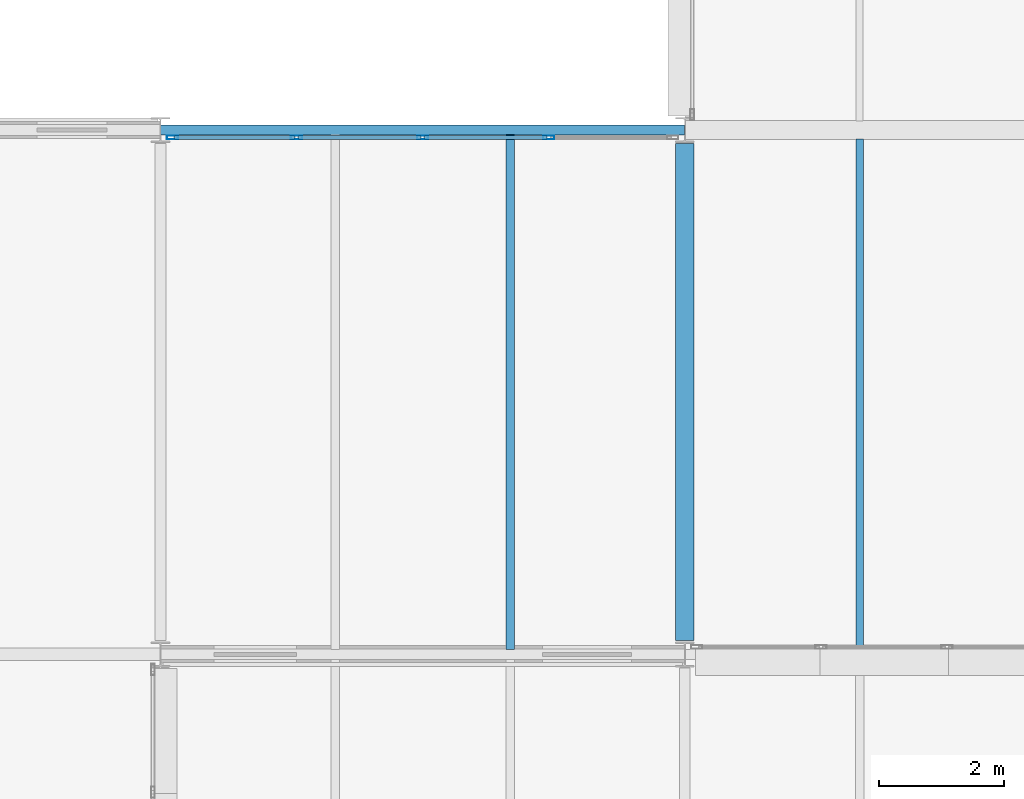
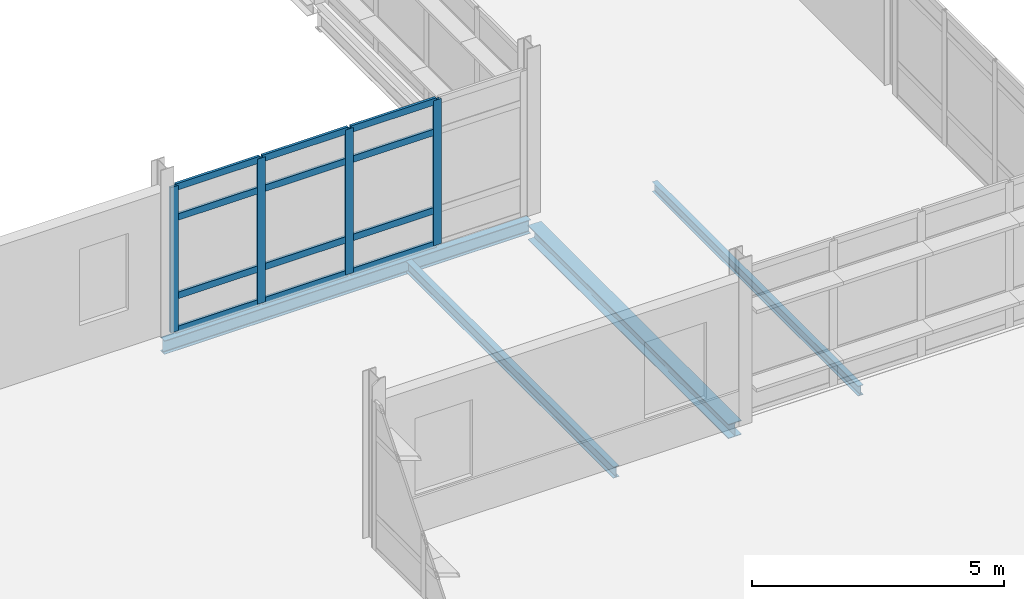
# One storey, part 46 of 151: 16 members, 4 beams, 1 element without a shape of its own.
"""IFC4 building model written with IfcOpenShell, lengths in metres."""

from ifc_helpers import new_model, si_unit, direction, frame, origin, origin_2d, place, context, subcontext, project, spatial, hollow_rectangle, i_section, extrude, material, material_profile, profile_set, type_object, element, aggregate, save


model = new_model("IFC4")

# Units and contexts
model_context = context("Model", 3, precision=1e-05, world=origin(), true_north=direction((0.0, 1.0)))
body_context = subcontext(model_context, "Body", "Model", "MODEL_VIEW")
ifc_project = project(units=[si_unit("LENGTHUNIT", "METRE"), si_unit("AREAUNIT", "SQUARE_METRE"), si_unit("VOLUMEUNIT", "CUBIC_METRE"), si_unit("PLANEANGLEUNIT", "RADIAN"), si_unit("MASSUNIT", "GRAM", prefix="KILO")], contexts=[model_context])

# Site, building, storey
site_placement = place(None, origin())
site = spatial("IfcSite", under=ifc_project, at=site_placement, CompositionType="ELEMENT")
building_placement = place(site_placement, origin())
building = spatial("IfcBuilding", under=site, at=building_placement, Name="Mersafa Astral City Hall", CompositionType="ELEMENT")
storey_placement = place(building_placement, frame((0.0, 0.0, 9.89990234375)))
storey = spatial("IfcBuildingStorey", under=building, at=storey_placement, Name="L02", CompositionType="ELEMENT", Elevation=9.89990234375)

# Curtain wall, members
ifc_material_1 = material(Name="Anodised bronze aluminium framing", Category="aluminium")
curtain_wall_type = type_object("IfcCurtainWallType", Name="ENV-CW-1", PredefinedType="USERDEFINED", material=ifc_material_1)
curtain_wall_placement = place(storey_placement, origin())
curtain_wall = element("IfcCurtainWall", 1, at=curtain_wall_placement, inside=storey, type_object=curtain_wall_type, Name="L02 Unitised solar curtain wall 132", ObjectType="UNITISED CURTAIN WALL", PredefinedType="USERDEFINED")
ifc_material_profile_1 = material_profile(ifc_material_1, hollow_rectangle(XDim=0.06005859375, YDim=0.179931640625, WallThickness=0.00390625, at=origin_2d()), Name="RHS 60x180x4")
ifc_profile_set_1 = profile_set([ifc_material_profile_1], Name="Anodised bronze aluminium framing")
member_type_1 = type_object("IfcMemberType", Name="ENV-CW-MUL-1", PredefinedType="MULLION", material=ifc_profile_set_1)
member_1_placement = place(storey_placement, frame((31.4189453125, 100.679931640625, -0.001953125), z_axis=(0.0, 0.0, 1.0), x_axis=(0.0, -1.0, 0.0)))
member_1 = element("IfcMember", 2, at=member_1_placement, type_object=member_type_1, Name="CW-1 mullion 2", PredefinedType="MULLION", context=body_context, shape_type="SweptSolid", body=[
    extrude(hollow_rectangle(XDim=0.06005859375, YDim=0.179931640625, WallThickness=0.00390625, at=origin_2d()), origin(), (0.0, 0.0, 1.0), 3.51904296875),
])
member_2_placement = place(storey_placement, frame((29.39990234375, 100.679931640625, -0.001953125), z_axis=(0.0, 0.0, 1.0), x_axis=(0.0, -1.0, 0.0)))
member_2 = element("IfcMember", 3, at=member_2_placement, type_object=member_type_1, Name="CW-1 mullion 3", PredefinedType="MULLION", context=body_context, shape_type="SweptSolid", body=[
    extrude(hollow_rectangle(XDim=0.06005859375, YDim=0.179931640625, WallThickness=0.00390625, at=origin_2d()), origin(), (0.0, 0.0, 1.0), 3.51904296875),
])
member_3_placement = place(storey_placement, frame((27.381103515625, 100.679931640625, -0.001953125), z_axis=(0.0, 0.0, 1.0), x_axis=(0.0, -1.0, 0.0)))
member_3 = element("IfcMember", 4, at=member_3_placement, type_object=member_type_1, Name="CW-1 mullion 4", PredefinedType="MULLION", context=body_context, shape_type="SweptSolid", body=[
    extrude(hollow_rectangle(XDim=0.06005859375, YDim=0.179931640625, WallThickness=0.00390625, at=origin_2d()), origin(), (0.0, 0.0, 1.0), 3.51904296875),
])
member_4_placement = place(storey_placement, frame((25.39208984375, 100.679931640625, -0.001953125), z_axis=(0.0, 0.0, 1.0), x_axis=(0.0, -1.0, 0.0)))
member_4 = element("IfcMember", 5, at=member_4_placement, type_object=member_type_1, Name="CW-1 mullion 5", PredefinedType="MULLION", context=body_context, shape_type="SweptSolid", body=[
    extrude(hollow_rectangle(XDim=0.06005859375, YDim=0.179931640625, WallThickness=0.00390625, at=origin_2d()), origin(), (0.0, 0.0, 1.0), 3.51904296875),
])
ifc_material_profile_2 = material_profile(ifc_material_1, hollow_rectangle(XDim=0.06005859375, YDim=0.159912109375, WallThickness=0.00390625, at=origin_2d()), Name="RHS 60x160x4")
ifc_profile_set_2 = profile_set([ifc_material_profile_2], Name="Anodised bronze aluminium framing")
member_type_2 = type_object("IfcMemberType", Name="ENV-CW-TRN-2", PredefinedType="USERDEFINED", material=ifc_profile_set_2)
member_5_placement = place(storey_placement, frame((31.388916015625, 100.679931640625, 0.028076171875), z_axis=(-1.0, 0.0, 0.0), x_axis=(0.0, -1.0, 0.0)))
member_5 = element("IfcMember", 6, at=member_5_placement, type_object=member_type_2, Name="CW-1 transom 2.1", ObjectType="TRANSOM", PredefinedType="USERDEFINED", context=body_context, shape_type="SweptSolid", body=[
    extrude(hollow_rectangle(XDim=0.06005859375, YDim=0.159912109375, WallThickness=0.00390625, at=origin_2d()), origin(), (0.0, 0.0, 1.0), 1.958984375),
])
member_6_placement = place(storey_placement, frame((31.388916015625, 100.679931640625, 0.85009765625), z_axis=(-1.0, 0.0, 0.0), x_axis=(0.0, -1.0, 0.0)))
member_6 = element("IfcMember", 7, at=member_6_placement, type_object=member_type_2, Name="CW-1 transom 2.2", ObjectType="TRANSOM", PredefinedType="USERDEFINED", context=body_context, shape_type="SweptSolid", body=[
    extrude(hollow_rectangle(XDim=0.06005859375, YDim=0.159912109375, WallThickness=0.00390625, at=origin_2d()), origin(), (0.0, 0.0, 1.0), 1.958984375),
])
member_7_placement = place(storey_placement, frame((31.388916015625, 100.679931640625, 2.75), z_axis=(-1.0, 0.0, 0.0), x_axis=(0.0, -1.0, 0.0)))
member_7 = element("IfcMember", 8, at=member_7_placement, type_object=member_type_2, Name="CW-1 transom 2.3", ObjectType="TRANSOM", PredefinedType="USERDEFINED", context=body_context, shape_type="SweptSolid", body=[
    extrude(hollow_rectangle(XDim=0.06005859375, YDim=0.159912109375, WallThickness=0.00390625, at=origin_2d()), origin(), (0.0, 0.0, 1.0), 1.958984375),
])
member_8_placement = place(storey_placement, frame((31.388916015625, 100.679931640625, 3.487060546875), z_axis=(-1.0, 0.0, 0.0), x_axis=(0.0, -1.0, 0.0)))
member_8 = element("IfcMember", 9, at=member_8_placement, type_object=member_type_2, Name="CW-1 transom 2.4", ObjectType="TRANSOM", PredefinedType="USERDEFINED", context=body_context, shape_type="SweptSolid", body=[
    extrude(hollow_rectangle(XDim=0.06005859375, YDim=0.159912109375, WallThickness=0.00390625, at=origin_2d()), origin(), (0.0, 0.0, 1.0), 1.958984375),
])
member_9_placement = place(storey_placement, frame((29.3701171875, 100.679931640625, 0.028076171875), z_axis=(-1.0, 0.0, 0.0), x_axis=(0.0, -1.0, 0.0)))
member_9 = element("IfcMember", 10, at=member_9_placement, type_object=member_type_2, Name="CW-1 transom 3.1", ObjectType="TRANSOM", PredefinedType="USERDEFINED", context=body_context, shape_type="SweptSolid", body=[
    extrude(hollow_rectangle(XDim=0.06005859375, YDim=0.159912109375, WallThickness=0.00390625, at=origin_2d()), origin(), (0.0, 0.0, 1.0), 1.959228515625),
])
member_10_placement = place(storey_placement, frame((29.3701171875, 100.679931640625, 0.85009765625), z_axis=(-1.0, 0.0, 0.0), x_axis=(0.0, -1.0, 0.0)))
member_10 = element("IfcMember", 11, at=member_10_placement, type_object=member_type_2, Name="CW-1 transom 3.2", ObjectType="TRANSOM", PredefinedType="USERDEFINED", context=body_context, shape_type="SweptSolid", body=[
    extrude(hollow_rectangle(XDim=0.06005859375, YDim=0.159912109375, WallThickness=0.00390625, at=origin_2d()), origin(), (0.0, 0.0, 1.0), 1.959228515625),
])
member_11_placement = place(storey_placement, frame((29.3701171875, 100.679931640625, 2.75), z_axis=(-1.0, 0.0, 0.0), x_axis=(0.0, -1.0, 0.0)))
member_11 = element("IfcMember", 12, at=member_11_placement, type_object=member_type_2, Name="CW-1 transom 3.3", ObjectType="TRANSOM", PredefinedType="USERDEFINED", context=body_context, shape_type="SweptSolid", body=[
    extrude(hollow_rectangle(XDim=0.06005859375, YDim=0.159912109375, WallThickness=0.00390625, at=origin_2d()), origin(), (0.0, 0.0, 1.0), 1.959228515625),
])
member_12_placement = place(storey_placement, frame((29.3701171875, 100.679931640625, 3.487060546875), z_axis=(-1.0, 0.0, 0.0), x_axis=(0.0, -1.0, 0.0)))
member_12 = element("IfcMember", 13, at=member_12_placement, type_object=member_type_2, Name="CW-1 transom 3.4", ObjectType="TRANSOM", PredefinedType="USERDEFINED", context=body_context, shape_type="SweptSolid", body=[
    extrude(hollow_rectangle(XDim=0.06005859375, YDim=0.159912109375, WallThickness=0.00390625, at=origin_2d()), origin(), (0.0, 0.0, 1.0), 1.959228515625),
])
member_13_placement = place(storey_placement, frame((27.35107421875, 100.679931640625, 0.028076171875), z_axis=(-1.0, 0.0, 0.0), x_axis=(0.0, -1.0, 0.0)))
member_13 = element("IfcMember", 14, at=member_13_placement, type_object=member_type_2, Name="CW-1 transom 4.1", ObjectType="TRANSOM", PredefinedType="USERDEFINED", context=body_context, shape_type="SweptSolid", body=[
    extrude(hollow_rectangle(XDim=0.06005859375, YDim=0.159912109375, WallThickness=0.00390625, at=origin_2d()), origin(), (0.0, 0.0, 1.0), 1.928955078125),
])
member_14_placement = place(storey_placement, frame((27.35107421875, 100.679931640625, 0.85009765625), z_axis=(-1.0, 0.0, 0.0), x_axis=(0.0, -1.0, 0.0)))
member_14 = element("IfcMember", 15, at=member_14_placement, type_object=member_type_2, Name="CW-1 transom 4.2", ObjectType="TRANSOM", PredefinedType="USERDEFINED", context=body_context, shape_type="SweptSolid", body=[
    extrude(hollow_rectangle(XDim=0.06005859375, YDim=0.159912109375, WallThickness=0.00390625, at=origin_2d()), origin(), (0.0, 0.0, 1.0), 1.928955078125),
])
member_15_placement = place(storey_placement, frame((27.35107421875, 100.679931640625, 2.75), z_axis=(-1.0, 0.0, 0.0), x_axis=(0.0, -1.0, 0.0)))
member_15 = element("IfcMember", 16, at=member_15_placement, type_object=member_type_2, Name="CW-1 transom 4.3", ObjectType="TRANSOM", PredefinedType="USERDEFINED", context=body_context, shape_type="SweptSolid", body=[
    extrude(hollow_rectangle(XDim=0.06005859375, YDim=0.159912109375, WallThickness=0.00390625, at=origin_2d()), origin(), (0.0, 0.0, 1.0), 1.928955078125),
])
member_16_placement = place(storey_placement, frame((27.35107421875, 100.679931640625, 3.487060546875), z_axis=(-1.0, 0.0, 0.0), x_axis=(0.0, -1.0, 0.0)))
member_16 = element("IfcMember", 17, at=member_16_placement, type_object=member_type_2, Name="CW-1 transom 4.4", ObjectType="TRANSOM", PredefinedType="USERDEFINED", context=body_context, shape_type="SweptSolid", body=[
    extrude(hollow_rectangle(XDim=0.06005859375, YDim=0.159912109375, WallThickness=0.00390625, at=origin_2d()), origin(), (0.0, 0.0, 1.0), 1.928955078125),
])
aggregate(curtain_wall, [member_1, member_2, member_3, member_4, member_5, member_6, member_7, member_8, member_9, member_10, member_11, member_12, member_13, member_14, member_15, member_16])

# Beams
ifc_material_2 = material(Name="Steel S355", Category="steel")
ifc_material_profile_3 = material_profile(ifc_material_2, i_section(OverallWidth=0.300048828125, OverallDepth=0.35009765625, WebThickness=0.010009765625, FlangeThickness=0.017578125, FilletRadius=0.027099609375, at=origin_2d()), Name="HEA 360")
ifc_profile_set_3 = profile_set([ifc_material_profile_3], Name="Steel S355")
beam_type_1 = type_object("IfcBeamType", Name="STR-BM-HEA360", PredefinedType="BEAM", material=ifc_profile_set_3)
beam_1_placement = place(storey_placement, frame((33.60009765625, 92.6201171875, -0.375), z_axis=(0.0, 1.0, 0.0), x_axis=(-1.0, 0.0, 0.0)))
element("IfcBeam", 18, at=beam_1_placement, inside=storey, type_object=beam_type_1, Name="L02 Primary girder Y 4-11", PredefinedType="BEAM", context=body_context, shape_type="SweptSolid", body=[
    extrude(i_section(OverallWidth=0.300048828125, OverallDepth=0.35009765625, WebThickness=0.010009765625, FlangeThickness=0.017578125, FilletRadius=0.027099609375, at=origin_2d()), origin(), (0.0, 0.0, 1.0), 7.9599609375),
])
ifc_material_profile_4 = material_profile(ifc_material_2, i_section(OverallWidth=0.1201171875, OverallDepth=0.239990234375, WebThickness=0.006103515625, FlangeThickness=0.009765625, FilletRadius=0.014892578125, at=origin_2d()), Name="IPE 240")
ifc_profile_set_4 = profile_set([ifc_material_profile_4], Name="Steel S355")
beam_type_2 = type_object("IfcBeamType", Name="STR-BM-JOIST-IPE240", PredefinedType="JOIST", material=ifc_profile_set_4)
beam_2_placement = place(storey_placement, frame((36.39990234375, 92.47509765625, -0.31982421875), z_axis=(0.0, 1.0, 0.0), x_axis=(-1.0, 0.0, 0.0)))
element("IfcBeam", 19, at=beam_2_placement, inside=storey, type_object=beam_type_2, Name="L02 Composite secondary floor joist 414", PredefinedType="JOIST", context=body_context, shape_type="SweptSolid", body=[
    extrude(i_section(OverallWidth=0.1201171875, OverallDepth=0.239990234375, WebThickness=0.006103515625, FlangeThickness=0.009765625, FilletRadius=0.014892578125, at=origin_2d()), origin(), (0.0, 0.0, 1.0), 8.179931640625),
])
ifc_material_profile_5 = material_profile(ifc_material_2, i_section(OverallWidth=0.135009765625, OverallDepth=0.27001953125, WebThickness=0.006591796875, FlangeThickness=0.01025390625, FilletRadius=0.014892578125, at=origin_2d()), Name="IPE 270")
ifc_profile_set_5 = profile_set([ifc_material_profile_5], Name="Steel S355")
beam_type_3 = type_object("IfcBeamType", Name="STR-BM-JOIST-IPE270", PredefinedType="JOIST", material=ifc_profile_set_5)
beam_3_placement = place(storey_placement, frame((30.800048828125, 92.47998046875, -0.3349609375), z_axis=(0.0, 1.0, 0.0), x_axis=(-1.0, 0.0, 0.0)))
element("IfcBeam", 20, at=beam_3_placement, inside=storey, type_object=beam_type_3, Name="L02 Composite secondary floor joist 413", PredefinedType="JOIST", context=body_context, shape_type="SweptSolid", body=[
    extrude(i_section(OverallWidth=0.135009765625, OverallDepth=0.27001953125, WebThickness=0.006591796875, FlangeThickness=0.01025390625, FilletRadius=0.014892578125, at=origin_2d()), origin(), (0.0, 0.0, 1.0), 8.2451171875),
])
ifc_material_profile_6 = material_profile(ifc_material_2, i_section(OverallWidth=0.159912109375, OverallDepth=0.330078125, WebThickness=0.007568359375, FlangeThickness=0.011474609375, FilletRadius=0.01806640625, at=origin_2d()), Name="IPE 330")
ifc_profile_set_6 = profile_set([ifc_material_profile_6], Name="Steel S355")
beam_type_4 = type_object("IfcBeamType", Name="STR-BM-SPANDREL-IPE330", PredefinedType="SPANDREL", material=ifc_profile_set_6)
beam_4_placement = place(storey_placement, frame((25.202880859375, 100.800048828125, -0.364990234375), z_axis=(1.0, 0.0, 0.0), x_axis=(0.0, 1.0, 0.0)))
element("IfcBeam", 21, at=beam_4_placement, inside=storey, type_object=beam_type_4, Name="L02 Primary girder X 3-12", PredefinedType="SPANDREL", context=body_context, shape_type="SweptSolid", body=[
    extrude(i_section(OverallWidth=0.159912109375, OverallDepth=0.330078125, WebThickness=0.007568359375, FlangeThickness=0.011474609375, FilletRadius=0.01806640625, at=origin_2d()), origin(), (0.0, 0.0, 1.0), 8.39404296875),
])

save(model, "model.ifc")
